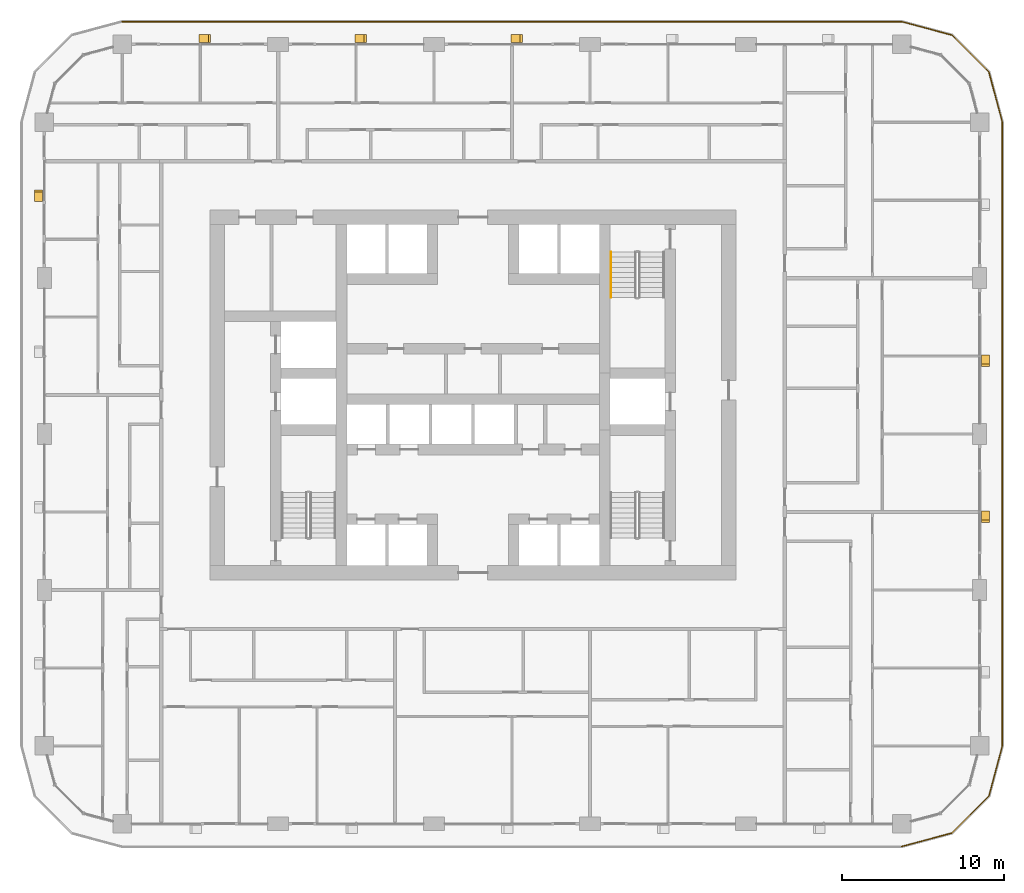
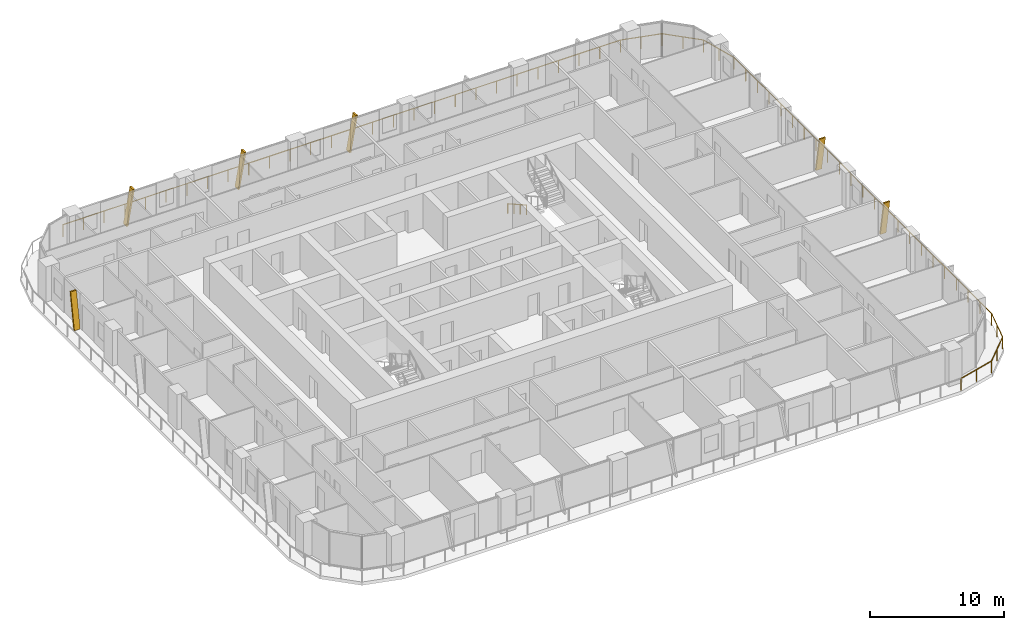
# One storey, part 21 of 22: 6 shading devices, 2 railings.
"""IFC4 building model written with IfcOpenShell, lengths in metres."""

from ifc_helpers import new_model, si_unit, direction, frame, origin, origin_2d, place, context, subcontext, project, spatial, polyline, circle, outline, extrude, material, type_object, element, save


model = new_model("IFC4")

# Units and contexts
model_context = context("Model", 3, precision=1e-05, world=origin(), true_north=direction((0.0, 1.0)))
body_context = subcontext(model_context, "Body", "Model", "MODEL_VIEW")
ifc_project = project(units=[si_unit("LENGTHUNIT", "METRE"), si_unit("AREAUNIT", "SQUARE_METRE"), si_unit("VOLUMEUNIT", "CUBIC_METRE"), si_unit("PLANEANGLEUNIT", "RADIAN"), si_unit("MASSUNIT", "GRAM", prefix="KILO")], contexts=[model_context])

# Site, building, storey
site_placement = place(None, origin())
site = spatial("IfcSite", under=ifc_project, at=site_placement, CompositionType="ELEMENT")
building_placement = place(site_placement, origin())
building = spatial("IfcBuilding", under=site, at=building_placement, Name="Madar Terraces", CompositionType="ELEMENT")
storey_placement = place(building_placement, frame((0.0, 0.0, 76.800048828125)))
storey = spatial("IfcBuildingStorey", under=building, at=storey_placement, Name="L19", CompositionType="ELEMENT", Elevation=76.800048828125)

# Railing
ifc_material_1 = material(Name="Glass, safety glazing, with stainless steel posts", Category="steel")
railing_type_1 = type_object("IfcRailingType", Name="Balcony glass guard 1100", PredefinedType="GUARDRAIL", material=ifc_material_1)
railing_1_placement = place(storey_placement, frame((57.60009765625, -1.39990234375, 0.0)))
element("IfcRailing", 1, at=railing_1_placement, inside=storey, type_object=railing_type_1, Name="Balcony guard", PredefinedType="GUARDRAIL", context=body_context, shape_type="SweptSolid", body=[
    extrude(circle(Radius=0.02392578125, at=origin_2d()), frame((0.0, 0.0, 1.076171875), z_axis=(0.965928696102, 0.258808334578, 0.0), x_axis=(-0.258808334578, 0.965928696102, 0.0)), (0.0, 0.0, 1.0), 3.209228515625),
    extrude(circle(Radius=0.02392578125, at=origin_2d()), frame((3.099853515625, 0.83056640625, 1.076171875), z_axis=(0.707144815061, 0.707068745266, 0.0), x_axis=(-0.707068745266, 0.707144815061, 0.0)), (0.0, 0.0, 1.0), 3.20947265625),
    extrude(circle(Radius=0.02392578125, at=origin_2d()), frame((5.369384765625, 3.099853515625, 1.076171875), z_axis=(0.258789317819, 0.9659337912, 0.0), x_axis=(-0.9659337912, 0.258789317819, 0.0)), (0.0, 0.0, 1.0), 3.20947265625),
    extrude(circle(Radius=0.02392578125, at=origin_2d()), frame((6.199951171875, 6.199951171875, 1.076171875), z_axis=(0.0, 1.0, 0.0), x_axis=(-1.0, 0.0, 0.0)), (0.0, 0.0, 1.0), 38.39990234375),
    extrude(circle(Radius=0.02392578125, at=origin_2d()), frame((6.199951171875, 44.599853515625, 1.076171875), z_axis=(-0.258789317819, 0.9659337912, 0.0), x_axis=(-0.9659337912, -0.258789317819, 0.0)), (0.0, 0.0, 1.0), 3.20947265625),
    extrude(circle(Radius=0.02392578125, at=origin_2d()), frame((5.369384765625, 47.699951171875, 1.076171875), z_axis=(-0.707144815061, 0.707068745266, 0.0), x_axis=(-0.707068745266, -0.707144815061, 0.0)), (0.0, 0.0, 1.0), 3.20947265625),
    extrude(circle(Radius=0.02392578125, at=origin_2d()), frame((3.099853515625, 49.96923828125, 1.076171875), z_axis=(-0.965928696102, 0.258808334578, 0.0), x_axis=(-0.258808334578, -0.965928696102, 0.0)), (0.0, 0.0, 1.0), 3.209228515625),
    extrude(circle(Radius=0.02392578125, at=origin_2d()), frame((0.0, 50.7998046875, 1.076171875), z_axis=(-1.0, 0.0, 0.0), x_axis=(0.0, -1.0, 0.0)), (0.0, 0.0, 1.0), 48.0),
    extrude(circle(Radius=0.02099609375, at=origin_2d()), origin(), (0.0, 0.0, 1.0), 1.052001953125),
    extrude(circle(Radius=0.02099609375, at=origin_2d()), frame((1.5498046875, 0.415283203125, 0.0)), (0.0, 0.0, 1.0), 1.052001953125),
    extrude(circle(Radius=0.02099609375, at=origin_2d()), frame((3.099853515625, 0.83056640625, 0.0)), (0.0, 0.0, 1.0), 1.052001953125),
    extrude(circle(Radius=0.02099609375, at=origin_2d()), frame((4.234619140625, 1.96533203125, 0.0)), (0.0, 0.0, 1.0), 1.052001953125),
    extrude(circle(Radius=0.02099609375, at=origin_2d()), frame((5.369384765625, 3.099853515625, 0.0)), (0.0, 0.0, 1.0), 1.052001953125),
    extrude(circle(Radius=0.02099609375, at=origin_2d()), frame((5.78466796875, 4.64990234375, 0.0)), (0.0, 0.0, 1.0), 1.052001953125),
    extrude(circle(Radius=0.02099609375, at=origin_2d()), frame((6.199951171875, 6.199951171875, 0.0)), (0.0, 0.0, 1.0), 1.052001953125),
    extrude(circle(Radius=0.02099609375, at=origin_2d()), frame((6.199951171875, 7.9453125, 0.0)), (0.0, 0.0, 1.0), 1.052001953125),
    extrude(circle(Radius=0.02099609375, at=origin_2d()), frame((6.199951171875, 9.69091796875, 0.0)), (0.0, 0.0, 1.0), 1.052001953125),
    extrude(circle(Radius=0.02099609375, at=origin_2d()), frame((6.199951171875, 11.436279296875, 0.0)), (0.0, 0.0, 1.0), 1.052001953125),
    extrude(circle(Radius=0.02099609375, at=origin_2d()), frame((6.199951171875, 13.181640625, 0.0)), (0.0, 0.0, 1.0), 1.052001953125),
    extrude(circle(Radius=0.02099609375, at=origin_2d()), frame((6.199951171875, 14.92724609375, 0.0)), (0.0, 0.0, 1.0), 1.052001953125),
    extrude(circle(Radius=0.02099609375, at=origin_2d()), frame((6.199951171875, 16.672607421875, 0.0)), (0.0, 0.0, 1.0), 1.052001953125),
    extrude(circle(Radius=0.02099609375, at=origin_2d()), frame((6.199951171875, 18.418212890625, 0.0)), (0.0, 0.0, 1.0), 1.052001953125),
    extrude(circle(Radius=0.02099609375, at=origin_2d()), frame((6.199951171875, 20.16357421875, 0.0)), (0.0, 0.0, 1.0), 1.052001953125),
    extrude(circle(Radius=0.02099609375, at=origin_2d()), frame((6.199951171875, 21.908935546875, 0.0)), (0.0, 0.0, 1.0), 1.052001953125),
    extrude(circle(Radius=0.02099609375, at=origin_2d()), frame((6.199951171875, 23.654541015625, 0.0)), (0.0, 0.0, 1.0), 1.052001953125),
    extrude(circle(Radius=0.02099609375, at=origin_2d()), frame((6.199951171875, 25.39990234375, 0.0)), (0.0, 0.0, 1.0), 1.052001953125),
    extrude(circle(Radius=0.02099609375, at=origin_2d()), frame((6.199951171875, 27.145263671875, 0.0)), (0.0, 0.0, 1.0), 1.052001953125),
    extrude(circle(Radius=0.02099609375, at=origin_2d()), frame((6.199951171875, 28.890869140625, 0.0)), (0.0, 0.0, 1.0), 1.052001953125),
    extrude(circle(Radius=0.02099609375, at=origin_2d()), frame((6.199951171875, 30.63623046875, 0.0)), (0.0, 0.0, 1.0), 1.052001953125),
    extrude(circle(Radius=0.02099609375, at=origin_2d()), frame((6.199951171875, 32.381591796875, 0.0)), (0.0, 0.0, 1.0), 1.052001953125),
    extrude(circle(Radius=0.02099609375, at=origin_2d()), frame((6.199951171875, 34.127197265625, 0.0)), (0.0, 0.0, 1.0), 1.052001953125),
    extrude(circle(Radius=0.02099609375, at=origin_2d()), frame((6.199951171875, 35.87255859375, 0.0)), (0.0, 0.0, 1.0), 1.052001953125),
    extrude(circle(Radius=0.02099609375, at=origin_2d()), frame((6.199951171875, 37.6181640625, 0.0)), (0.0, 0.0, 1.0), 1.052001953125),
    extrude(circle(Radius=0.02099609375, at=origin_2d()), frame((6.199951171875, 39.363525390625, 0.0)), (0.0, 0.0, 1.0), 1.052001953125),
    extrude(circle(Radius=0.02099609375, at=origin_2d()), frame((6.199951171875, 41.10888671875, 0.0)), (0.0, 0.0, 1.0), 1.052001953125),
    extrude(circle(Radius=0.02099609375, at=origin_2d()), frame((6.199951171875, 42.8544921875, 0.0)), (0.0, 0.0, 1.0), 1.052001953125),
    extrude(circle(Radius=0.02099609375, at=origin_2d()), frame((6.199951171875, 44.599853515625, 0.0)), (0.0, 0.0, 1.0), 1.052001953125),
    extrude(circle(Radius=0.02099609375, at=origin_2d()), frame((5.78466796875, 46.14990234375, 0.0)), (0.0, 0.0, 1.0), 1.052001953125),
    extrude(circle(Radius=0.02099609375, at=origin_2d()), frame((5.369384765625, 47.699951171875, 0.0)), (0.0, 0.0, 1.0), 1.052001953125),
    extrude(circle(Radius=0.02099609375, at=origin_2d()), frame((4.234619140625, 48.83447265625, 0.0)), (0.0, 0.0, 1.0), 1.052001953125),
    extrude(circle(Radius=0.02099609375, at=origin_2d()), frame((3.099853515625, 49.96923828125, 0.0)), (0.0, 0.0, 1.0), 1.052001953125),
    extrude(circle(Radius=0.02099609375, at=origin_2d()), frame((1.5498046875, 50.384521484375, 0.0)), (0.0, 0.0, 1.0), 1.052001953125),
    extrude(circle(Radius=0.02099609375, at=origin_2d()), frame((0.0, 50.7998046875, 0.0)), (0.0, 0.0, 1.0), 1.052001953125),
    extrude(circle(Radius=0.02099609375, at=origin_2d()), frame((-1.77783203125, 50.7998046875, 0.0)), (0.0, 0.0, 1.0), 1.052001953125),
    extrude(circle(Radius=0.02099609375, at=origin_2d()), frame((-3.5556640625, 50.7998046875, 0.0)), (0.0, 0.0, 1.0), 1.052001953125),
    extrude(circle(Radius=0.02099609375, at=origin_2d()), frame((-5.333251953125, 50.7998046875, 0.0)), (0.0, 0.0, 1.0), 1.052001953125),
    extrude(circle(Radius=0.02099609375, at=origin_2d()), frame((-7.111083984375, 50.7998046875, 0.0)), (0.0, 0.0, 1.0), 1.052001953125),
    extrude(circle(Radius=0.02099609375, at=origin_2d()), frame((-8.888916015625, 50.7998046875, 0.0)), (0.0, 0.0, 1.0), 1.052001953125),
    extrude(circle(Radius=0.02099609375, at=origin_2d()), frame((-10.666748046875, 50.7998046875, 0.0)), (0.0, 0.0, 1.0), 1.052001953125),
    extrude(circle(Radius=0.02099609375, at=origin_2d()), frame((-12.4443359375, 50.7998046875, 0.0)), (0.0, 0.0, 1.0), 1.052001953125),
    extrude(circle(Radius=0.02099609375, at=origin_2d()), frame((-14.22216796875, 50.7998046875, 0.0)), (0.0, 0.0, 1.0), 1.052001953125),
    extrude(circle(Radius=0.02099609375, at=origin_2d()), frame((-16.0, 50.7998046875, 0.0)), (0.0, 0.0, 1.0), 1.052001953125),
    extrude(circle(Radius=0.02099609375, at=origin_2d()), frame((-17.77783203125, 50.7998046875, 0.0)), (0.0, 0.0, 1.0), 1.052001953125),
    extrude(circle(Radius=0.02099609375, at=origin_2d()), frame((-19.5556640625, 50.7998046875, 0.0)), (0.0, 0.0, 1.0), 1.052001953125),
    extrude(circle(Radius=0.02099609375, at=origin_2d()), frame((-21.333251953125, 50.7998046875, 0.0)), (0.0, 0.0, 1.0), 1.052001953125),
    extrude(circle(Radius=0.02099609375, at=origin_2d()), frame((-23.111083984375, 50.7998046875, 0.0)), (0.0, 0.0, 1.0), 1.052001953125),
    extrude(circle(Radius=0.02099609375, at=origin_2d()), frame((-24.888916015625, 50.7998046875, 0.0)), (0.0, 0.0, 1.0), 1.052001953125),
    extrude(circle(Radius=0.02099609375, at=origin_2d()), frame((-26.666748046875, 50.7998046875, 0.0)), (0.0, 0.0, 1.0), 1.052001953125),
    extrude(circle(Radius=0.02099609375, at=origin_2d()), frame((-28.4443359375, 50.7998046875, 0.0)), (0.0, 0.0, 1.0), 1.052001953125),
    extrude(circle(Radius=0.02099609375, at=origin_2d()), frame((-30.22216796875, 50.7998046875, 0.0)), (0.0, 0.0, 1.0), 1.052001953125),
    extrude(circle(Radius=0.02099609375, at=origin_2d()), frame((-32.0, 50.7998046875, 0.0)), (0.0, 0.0, 1.0), 1.052001953125),
    extrude(circle(Radius=0.02099609375, at=origin_2d()), frame((-33.77783203125, 50.7998046875, 0.0)), (0.0, 0.0, 1.0), 1.052001953125),
    extrude(circle(Radius=0.02099609375, at=origin_2d()), frame((-35.5556640625, 50.7998046875, 0.0)), (0.0, 0.0, 1.0), 1.052001953125),
    extrude(circle(Radius=0.02099609375, at=origin_2d()), frame((-37.333251953125, 50.7998046875, 0.0)), (0.0, 0.0, 1.0), 1.052001953125),
    extrude(circle(Radius=0.02099609375, at=origin_2d()), frame((-39.111083984375, 50.7998046875, 0.0)), (0.0, 0.0, 1.0), 1.052001953125),
    extrude(circle(Radius=0.02099609375, at=origin_2d()), frame((-40.888916015625, 50.7998046875, 0.0)), (0.0, 0.0, 1.0), 1.052001953125),
    extrude(circle(Radius=0.02099609375, at=origin_2d()), frame((-42.666748046875, 50.7998046875, 0.0)), (0.0, 0.0, 1.0), 1.052001953125),
    extrude(circle(Radius=0.02099609375, at=origin_2d()), frame((-44.4443359375, 50.7998046875, 0.0)), (0.0, 0.0, 1.0), 1.052001953125),
    extrude(circle(Radius=0.02099609375, at=origin_2d()), frame((-46.22216796875, 50.7998046875, 0.0)), (0.0, 0.0, 1.0), 1.052001953125),
    extrude(circle(Radius=0.02099609375, at=origin_2d()), frame((-48.0, 50.7998046875, 0.0)), (0.0, 0.0, 1.0), 1.052001953125),
])

# Shading devices
ifc_material_2 = material(Name="Aluminium, black anodised", Category="aluminium")
shading_device_type = type_object("IfcShadingDeviceType", Name="Facade fin blade 140 x 500", PredefinedType="USERDEFINED", material=ifc_material_2)
for number, where, z_axis, x_axis, name in (
    (2, (62.75, 19.1298828125, 0.0), (0.0, 0.0, 1.0), (0.0, 1.0, 0.0), "FIN L19 E2"),
    (3, (62.75, 28.72998046875, 0.0), (0.0, 0.0, 1.0), (0.0, 1.0, 0.0), "FIN L19 E3"),
):
    element("IfcShadingDevice", number, at=place(storey_placement, frame(where, z_axis=z_axis, x_axis=x_axis)), inside=storey, type_object=shading_device_type, Name=name, ObjectType="FIN", PredefinedType="USERDEFINED", context=body_context, shape_type="SweptSolid", body=[
        extrude(outline(polyline([(0.0, 0.0), (0.14013671875, 0.0), (-0.42431640625, 3.199951171875), (-0.564208984375, 3.199951171875), (0.0, 0.0)])), frame((0.0, 0.25, 0.0), z_axis=(0.0, -1.0, 0.0), x_axis=(1.0, 0.0, 0.0)), (0.0, 0.0, 1.0), 0.5),
    ])
shading_device_1_placement = place(storey_placement, frame((33.669921875, 48.35009765625, 0.0), z_axis=(0.0, 0.0, 1.0), x_axis=(-1.0, 0.0, 0.0)))
element("IfcShadingDevice", 4, at=shading_device_1_placement, inside=storey, type_object=shading_device_type, Name="FIN L19 N3", ObjectType="FIN", PredefinedType="USERDEFINED", context=body_context, shape_type="SweptSolid", body=[
    extrude(outline(polyline([(0.0, 0.0), (0.139892578125, 0.0), (-0.42431640625, 3.199951171875), (-0.564208984375, 3.199951171875), (0.0, 0.0)])), frame((0.0, 0.25, 0.0), z_axis=(0.0, -1.0, 0.0), x_axis=(1.0, 0.0, 0.0)), (0.0, 0.0, 1.0), 0.5),
])
shading_device_2_placement = place(storey_placement, frame((24.070068359375, 48.35009765625, 0.0), z_axis=(0.0, 0.0, 1.0), x_axis=(-1.0, 0.0, 0.0)))
element("IfcShadingDevice", 5, at=shading_device_2_placement, inside=storey, type_object=shading_device_type, Name="FIN L19 N4", ObjectType="FIN", PredefinedType="USERDEFINED", context=body_context, shape_type="SweptSolid", body=[
    extrude(outline(polyline([(0.0, 0.0), (0.14013671875, 0.0), (-0.42431640625, 3.199951171875), (-0.564208984375, 3.199951171875), (0.0, 0.0)])), frame((0.0, 0.25, 0.0), z_axis=(0.0, -1.0, 0.0), x_axis=(1.0, 0.0, 0.0)), (0.0, 0.0, 1.0), 0.5),
])
for number, where, z_axis, x_axis, name in (
    (6, (14.469970703125, 48.35009765625, 0.0), (0.0, 0.0, 1.0), (-1.0, 0.0, 0.0), "FIN L19 N5"),
    (7, (4.449951171875, 38.469970703125, 0.0), (0.0, 0.0, 1.0), (0.0, -1.0, 0.0), "FIN L19 W1"),
):
    element("IfcShadingDevice", number, at=place(storey_placement, frame(where, z_axis=z_axis, x_axis=x_axis)), inside=storey, type_object=shading_device_type, Name=name, ObjectType="FIN", PredefinedType="USERDEFINED", context=body_context, shape_type="SweptSolid", body=[
        extrude(outline(polyline([(0.0, 0.0), (0.139892578125, 0.0), (-0.42431640625, 3.199951171875), (-0.564208984375, 3.199951171875), (0.0, 0.0)])), frame((0.0, 0.25, 0.0), z_axis=(0.0, -1.0, 0.0), x_axis=(1.0, 0.0, 0.0)), (0.0, 0.0, 1.0), 0.5),
    ])

# Railing
ifc_material_3 = material(Name="Stainless steel railing", Category="steel")
railing_type_2 = type_object("IfcRailingType", Name="Stair handrail 900", PredefinedType="HANDRAIL", material=ifc_material_3)
railing_2_placement = place(storey_placement, frame((39.699951171875, 35.199951171875, 0.175048828125)))
element("IfcRailing", 8, at=railing_2_placement, inside=storey, type_object=railing_type_2, Name="L19 ST2 stair handrail 1", PredefinedType="HANDRAIL", context=body_context, shape_type="SweptSolid", body=[
    extrude(circle(Radius=0.02392578125, at=origin_2d()), frame((0.0, 0.0, 0.8759765625), z_axis=(0.0, -0.870833779661, 0.491577591232), x_axis=(1.0, 0.0, 0.0)), (0.0, 0.0, 1.0), 3.203857421875),
    extrude(circle(Radius=0.02099609375, at=origin_2d()), origin(), (0.0, 0.0, 1.0), 0.851806640625),
    extrude(circle(Radius=0.02099609375, at=origin_2d()), frame((0.0, -0.929931640625, 0.52490234375)), (0.0, 0.0, 1.0), 0.851806640625),
    extrude(circle(Radius=0.02099609375, at=origin_2d()), frame((0.0, -1.860107421875, 1.050048828125)), (0.0, 0.0, 1.0), 0.851806640625),
    extrude(circle(Radius=0.02099609375, at=origin_2d()), frame((0.0, -2.7900390625, 1.574951171875)), (0.0, 0.0, 1.0), 0.851806640625),
])

save(model, "model.ifc")
